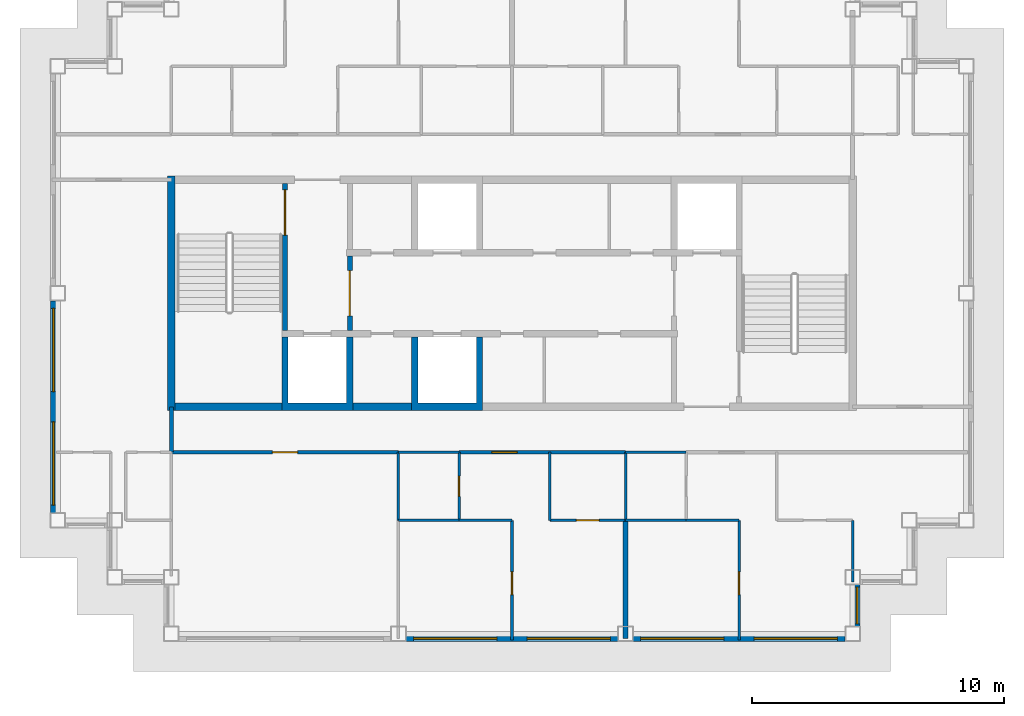
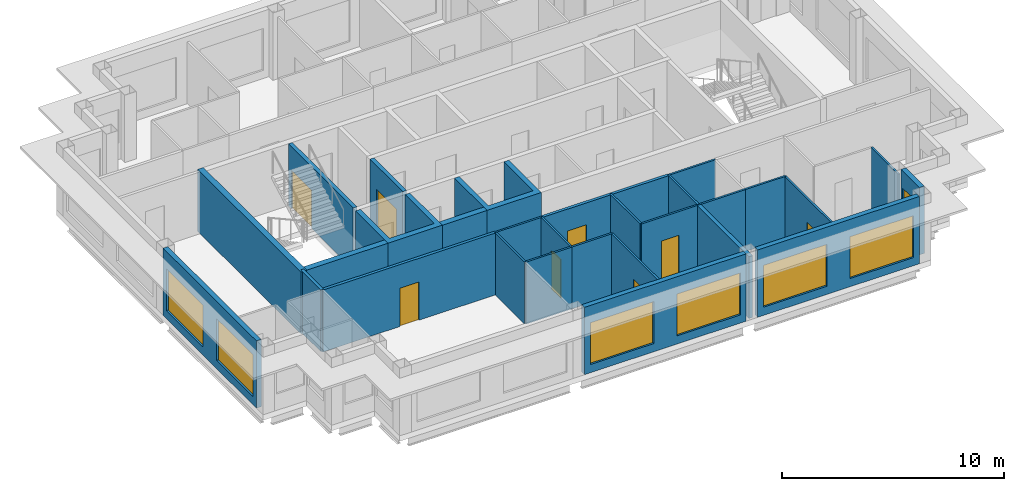
# One storey, part 2 of 11: 29 walls, 8 doors, 7 windows, 15 openings.
"""IFC4 building model written with IfcOpenShell, lengths in metres."""

from ifc_helpers import new_model, si_unit, direction, frame, frame_2d, origin, place, context, subcontext, project, spatial, polyline, rectangle, outline, extrude, material, layer, layer_set, type_object, element, fill, save


model = new_model("IFC4")

# Units and contexts
model_context = context("Model", 3, precision=1e-05, world=origin(), true_north=direction((0.0, 1.0)))
body_context = subcontext(model_context, "Body", "Model", "MODEL_VIEW")
ifc_project = project(units=[si_unit("LENGTHUNIT", "METRE"), si_unit("AREAUNIT", "SQUARE_METRE"), si_unit("VOLUMEUNIT", "CUBIC_METRE"), si_unit("PLANEANGLEUNIT", "RADIAN"), si_unit("MASSUNIT", "GRAM", prefix="KILO")], contexts=[model_context])

# Site, building, storey
site_placement = place(None, origin())
site = spatial("IfcSite", under=ifc_project, at=site_placement, CompositionType="ELEMENT")
building_placement = place(site_placement, origin())
building = spatial("IfcBuilding", under=site, at=building_placement, Name="Caravel Reach Hotel and Residences", CompositionType="ELEMENT")
storey_placement = place(building_placement, frame((0.0, 0.0, 287.10009765625)))
storey = spatial("IfcBuildingStorey", under=building, at=storey_placement, Name="L73", CompositionType="ELEMENT", Elevation=287.10009765625)

# Walls
ifc_material_1 = material(Name="Gypsum board on steel stud", Category="steel")
ifc_layer_1 = layer(ifc_material_1, 0.10009765625)
ifc_layer_set_1 = layer_set([ifc_layer_1], Name="Bathroom pod wall 100 mm")
wall_type_1 = type_object("IfcWallType", Name="Bathroom pod wall 100 mm", PredefinedType="PARTITIONING", material=ifc_layer_set_1)
for number, where, z_axis, x_axis, name in (
    (1, (27.0, 18.0, 0.0), (0.0, 0.0, 1.0), (1.0, 0.0, 0.0), "L73 wall w048"),
    (2, (36.0, 18.0, 0.0), (0.0, 0.0, 1.0), (1.0, 0.0, 0.0), "L73 wall w049"),
    (3, (27.0, 20.699951171875, 0.0), (0.0, 0.0, 1.0), (1.0, 0.0, 0.0), "L73 wall w050"),
    (4, (36.0, 20.699951171875, 0.0), (0.0, 0.0, 1.0), (1.0, 0.0, 0.0), "L73 wall w051"),
):
    element("IfcWall", number, at=place(storey_placement, frame(where, z_axis=z_axis, x_axis=x_axis)), inside=storey, type_object=wall_type_1, Name=name, PredefinedType="PARTITIONING", context=body_context, shape_type="SweptSolid", body=[
        extrude(rectangle(XDim=2.39990234375, YDim=0.10009765625, at=frame_2d((1.199951171875, 0.0))), origin(), (0.0, 0.0, 1.0), 3.39990234375),
    ])
wall_1_placement = place(storey_placement, frame((27.0, 18.0, 0.0), z_axis=(0.0, 0.0, 1.0), x_axis=(0.0, 1.0, 0.0)))
element("IfcWall", 5, at=wall_1_placement, inside=storey, type_object=wall_type_1, Name="L73 wall w065", PredefinedType="PARTITIONING", context=body_context, shape_type="SweptSolid", body=[
    extrude(rectangle(XDim=2.699951171875, YDim=0.10009765625, at=frame_2d((1.35009765625, 0.0))), origin(), (0.0, 0.0, 1.0), 3.39990234375),
])

# Wall, opening, door
wall_2_placement = place(storey_placement, frame((29.39990234375, 18.0, 0.0), z_axis=(0.0, 0.0, 1.0), x_axis=(0.0, 1.0, 0.0)))
wall_2 = element("IfcWall", 6, at=wall_2_placement, inside=storey, type_object=wall_type_1, Name="L73 wall w067", PredefinedType="PARTITIONING", context=body_context, shape_type="SweptSolid", body=[
    extrude(rectangle(XDim=2.699951171875, YDim=0.10009765625, at=frame_2d((1.35009765625, 0.0))), origin(), (0.0, 0.0, 1.0), 3.39990234375),
])
opening_1_placement = place(wall_2_placement, frame((0.949951171875, 0.0, 0.0)))
opening_1 = element("IfcOpeningElement", 7, at=opening_1_placement, cuts=wall_2, Name="Opening D73-031", PredefinedType="OPENING", context=body_context, shape_type="SweptSolid", body=[
    extrude(rectangle(XDim=0.800048828125, YDim=2.10009765625, at=frame_2d((0.39990234375, 1.050048828125))), frame((0.0, 0.06005859375, 0.0), z_axis=(0.0, -1.0, 0.0), x_axis=(1.0, 0.0, 0.0)), (0.0, 0.0, 1.0), 0.1201171875),
])
ifc_material_2 = material(Name="Timber and steel door leaf", Category="steel")
door_type_1 = type_object("IfcDoorType", Name="Bathroom door 800 x 2100", OperationType="SINGLE_SWING_LEFT", PredefinedType="DOOR", material=ifc_material_2)
door_1_placement = place(opening_1_placement, origin())
door_1 = element("IfcDoor", 8, at=door_1_placement, inside=storey, type_object=door_type_1, Name="door D73-031", OperationType="SINGLE_SWING_LEFT", OverallHeight=2.10009765625, OverallWidth=0.800048828125, PredefinedType="DOOR", context=body_context, shape_type="SweptSolid", body=[
    extrude(rectangle(XDim=0.800048828125, YDim=2.10009765625, at=frame_2d((0.39990234375, 1.050048828125))), frame((0.0, 0.02490234375, 0.0), z_axis=(0.0, -1.0, 0.0), x_axis=(1.0, 0.0, 0.0)), (0.0, 0.0, 1.0), 0.050048828125),
])
fill(opening_1, door_1)

# Walls
wall_3_placement = place(storey_placement, frame((36.0, 18.0, 0.0), z_axis=(0.0, 0.0, 1.0), x_axis=(0.0, 1.0, 0.0)))
element("IfcWall", 9, at=wall_3_placement, inside=storey, type_object=wall_type_1, Name="L73 wall w070", PredefinedType="PARTITIONING", context=body_context, shape_type="SweptSolid", body=[
    extrude(rectangle(XDim=2.699951171875, YDim=0.10009765625, at=frame_2d((1.35009765625, 0.0))), origin(), (0.0, 0.0, 1.0), 3.39990234375),
])
ifc_material_3 = material(Name="Concrete C60", Category="concrete")
ifc_layer_2 = layer(ifc_material_3, 0.300048828125)
ifc_layer_set_2 = layer_set([ifc_layer_2], Name="Core wall 300 mm EI 120")
wall_type_2 = type_object("IfcWallType", Name="Core wall 300 mm EI 120", PredefinedType="SHEAR", material=ifc_layer_set_2)
wall_4_placement = place(storey_placement, frame((18.14990234375, 22.5, 0.0), z_axis=(0.0, 0.0, 1.0), x_axis=(1.0, 0.0, 0.0)))
element("IfcWall", 10, at=wall_4_placement, inside=storey, type_object=wall_type_2, Name="L73 core wall S1", PredefinedType="SHEAR", context=body_context, shape_type="SweptSolid", body=[
    extrude(rectangle(XDim=4.22509765625, YDim=0.300048828125, at=frame_2d((2.112548828125, 0.0))), origin(), (0.0, 0.0, 1.0), 3.39990234375),
])
wall_5_placement = place(storey_placement, frame((25.196533203125, 22.5, 0.0), z_axis=(0.0, 0.0, 1.0), x_axis=(1.0, 0.0, 0.0)))
element("IfcWall", 11, at=wall_5_placement, inside=storey, type_object=wall_type_2, Name="L73 core wall S2", PredefinedType="SHEAR", context=body_context, shape_type="SweptSolid", body=[
    extrude(rectangle(XDim=2.3212890625, YDim=0.300048828125, at=frame_2d((1.16064453125, 0.0))), origin(), (0.0, 0.0, 1.0), 3.39990234375),
])
wall_6_placement = place(storey_placement, frame((18.0, 22.35009765625, 0.0), z_axis=(0.0, 0.0, 1.0), x_axis=(0.0, 1.0, 0.0)))
element("IfcWall", 12, at=wall_6_placement, inside=storey, type_object=wall_type_2, Name="L73 core wall W", PredefinedType="SHEAR", context=body_context, shape_type="SweptSolid", body=[
    extrude(rectangle(XDim=9.2998046875, YDim=0.300048828125, at=frame_2d((4.64990234375, 0.0))), origin(), (0.0, 0.0, 1.0), 3.39990234375),
])

# Wall, opening, door
ifc_material_4 = material(Name="Gypsum board on steel stud, fire-rated", Category="steel")
ifc_layer_3 = layer(ifc_material_4, 0.14990234375)
ifc_layer_set_3 = layer_set([ifc_layer_3], Name="Corridor wall 150 mm EI 60")
wall_type_3 = type_object("IfcWallType", Name="Corridor wall 150 mm EI 60", PredefinedType="PARTITIONING", material=ifc_layer_set_3)
wall_7_placement = place(storey_placement, frame((18.0, 20.699951171875, 0.0), z_axis=(0.0, 0.0, 1.0), x_axis=(1.0, 0.0, 0.0)))
wall_7 = element("IfcWall", 13, at=wall_7_placement, inside=storey, type_object=wall_type_3, Name="L73 wall w001", PredefinedType="PARTITIONING", context=body_context, shape_type="SweptSolid", body=[
    extrude(rectangle(XDim=9.0, YDim=0.14990234375, at=frame_2d((4.5, 0.0))), origin(), (0.0, 0.0, 1.0), 3.39990234375),
])
opening_2_placement = place(wall_7_placement, frame((4.0, 0.0, 0.0)))
opening_2 = element("IfcOpeningElement", 14, at=opening_2_placement, cuts=wall_7, Name="Opening D73-029", PredefinedType="OPENING", context=body_context, shape_type="SweptSolid", body=[
    extrude(rectangle(XDim=1.0, YDim=2.10009765625, at=frame_2d((0.5, 1.050048828125))), frame((0.0, 0.0849609375, 0.0), z_axis=(0.0, -1.0, 0.0), x_axis=(1.0, 0.0, 0.0)), (0.0, 0.0, 1.0), 0.169921875),
])
ifc_material_5 = material(Name="Steel fire door leaf", Category="steel")
door_type_2 = type_object("IfcDoorType", Name="Fire door 1000 x 2100 EI 60", OperationType="SINGLE_SWING_LEFT", PredefinedType="DOOR", material=ifc_material_5)
door_2_placement = place(opening_2_placement, origin())
door_2 = element("IfcDoor", 15, at=door_2_placement, inside=storey, type_object=door_type_2, Name="door D73-029", OperationType="SINGLE_SWING_LEFT", OverallHeight=2.10009765625, OverallWidth=1.0, PredefinedType="DOOR", context=body_context, shape_type="SweptSolid", body=[
    extrude(rectangle(XDim=1.0, YDim=2.10009765625, at=frame_2d((0.5, 1.050048828125))), frame((0.0, 0.02490234375, 0.0), z_axis=(0.0, -1.0, 0.0), x_axis=(1.0, 0.0, 0.0)), (0.0, 0.0, 1.0), 0.050048828125),
])
fill(opening_2, door_2)

wall_8_placement = place(storey_placement, frame((29.39990234375, 20.699951171875, 0.0), z_axis=(0.0, 0.0, 1.0), x_axis=(1.0, 0.0, 0.0)))
wall_8 = element("IfcWall", 16, at=wall_8_placement, inside=storey, type_object=wall_type_3, Name="L73 wall w002", PredefinedType="PARTITIONING", context=body_context, shape_type="SweptSolid", body=[
    extrude(rectangle(XDim=6.60009765625, YDim=0.14990234375, at=frame_2d((3.300048828125, 0.0))), origin(), (0.0, 0.0, 1.0), 3.39990234375),
])
opening_3_placement = place(wall_8_placement, frame((1.300048828125, 0.0, 0.0)))
opening_3 = element("IfcOpeningElement", 17, at=opening_3_placement, cuts=wall_8, Name="Opening D73-030", PredefinedType="OPENING", context=body_context, shape_type="SweptSolid", body=[
    extrude(rectangle(XDim=1.0, YDim=2.199951171875, at=frame_2d((0.5, 1.10009765625))), frame((0.0, 0.0849609375, 0.0), z_axis=(0.0, -1.0, 0.0), x_axis=(1.0, 0.0, 0.0)), (0.0, 0.0, 1.0), 0.169921875),
])
ifc_material_6 = material(Name="Steel fire door leaf", Category="steel")
door_type_3 = type_object("IfcDoorType", Name="Flat entrance door 1000 x 2200 EI 60", OperationType="SINGLE_SWING_LEFT", PredefinedType="DOOR", material=ifc_material_6)
door_3_placement = place(opening_3_placement, origin())
door_3 = element("IfcDoor", 18, at=door_3_placement, inside=storey, type_object=door_type_3, Name="door D73-030", OperationType="SINGLE_SWING_RIGHT", OverallHeight=2.199951171875, OverallWidth=1.0, PredefinedType="DOOR", context=body_context, shape_type="SweptSolid", body=[
    extrude(rectangle(XDim=1.0, YDim=2.199951171875, at=frame_2d((0.5, 1.10009765625))), frame((0.0, 0.02490234375, 0.0), z_axis=(0.0, -1.0, 0.0), x_axis=(1.0, 0.0, 0.0)), (0.0, 0.0, 1.0), 0.050048828125),
])
fill(opening_3, door_3)

# Wall
wall_9_placement = place(storey_placement, frame((18.0, 20.699951171875, 0.0), z_axis=(0.0, 0.0, 1.0), x_axis=(0.0, 1.0, 0.0)))
element("IfcWall", 19, at=wall_9_placement, inside=storey, type_object=wall_type_3, Name="L73 wall w014", PredefinedType="PARTITIONING", context=body_context, shape_type="SweptSolid", body=[
    extrude(rectangle(XDim=1.800048828125, YDim=0.14990234375, at=frame_2d((0.89990234375, 0.0))), origin(), (0.0, 0.0, 1.0), 3.39990234375),
])

# Wall, opening, window
ifc_material_7 = material(Name="Insulated rainscreen wall, aluminium cladding", Category="aluminium")
ifc_layer_4 = layer(ifc_material_7, 0.25)
ifc_layer_set_4 = layer_set([ifc_layer_4], Name="EW1 Tower rainscreen wall")
wall_type_4 = type_object("IfcWallType", Name="EW1 Tower rainscreen wall", PredefinedType="SOLIDWALL", material=ifc_layer_set_4)
wall_10_placement = place(storey_placement, frame((45.175048828125, 13.800048828125, 0.0), z_axis=(0.0, 0.0, 1.0), x_axis=(0.0, 1.0, 0.0)))
wall_10 = element("IfcWall", 20, at=wall_10_placement, inside=storey, type_object=wall_type_4, Name="External wall L73 E1.1", PredefinedType="SOLIDWALL", context=body_context, shape_type="SweptSolid", body=[
    extrude(rectangle(XDim=1.64990234375, YDim=0.25, at=frame_2d((0.824951171875, 0.0))), origin(), (0.0, 0.0, 1.0), 3.699951171875),
])
opening_4_placement = place(wall_10_placement, frame((0.10009765625, 0.0, 0.89990234375)))
opening_4 = element("IfcOpeningElement", 21, at=opening_4_placement, cuts=wall_10, Name="Opening WN25", PredefinedType="OPENING", context=body_context, shape_type="SweptSolid", body=[
    extrude(rectangle(XDim=1.449951171875, YDim=1.85009765625, at=frame_2d((0.72509765625, 0.925048828125))), frame((0.0, 0.135009765625, 0.0), z_axis=(0.0, -1.0, 0.0), x_axis=(1.0, 0.0, 0.0)), (0.0, 0.0, 1.0), 0.27001953125),
])
ifc_material_8 = material(Name="Dark low-e glazing in black aluminium frame", Category="aluminium")
window_type_1 = type_object("IfcWindowType", Name="Residence bedroom window 1450 x 1850", PartitioningType="SINGLE_PANEL", PredefinedType="WINDOW", material=ifc_material_8)
window_1_placement = place(opening_4_placement, origin())
window_1 = element("IfcWindow", 22, at=window_1_placement, inside=storey, type_object=window_type_1, Name="Window L73 E1.1.1", OverallHeight=1.85009765625, OverallWidth=1.449951171875, PartitioningType="SINGLE_PANEL", PredefinedType="WINDOW", context=body_context, shape_type="SweptSolid", body=[
    extrude(rectangle(XDim=1.449951171875, YDim=1.85009765625, at=frame_2d((0.72509765625, 0.925048828125))), frame((0.0, 0.030029296875, 0.0), z_axis=(0.0, -1.0, 0.0), x_axis=(1.0, 0.0, 0.0)), (0.0, 0.0, 1.0), 0.06005859375),
])
fill(opening_4, window_1)

# Wall, openings, windows
wall_11_placement = place(storey_placement, frame((13.324951171875, 26.699951171875, 0.0), z_axis=(0.0, 0.0, 1.0), x_axis=(0.0, -1.0, 0.0)))
wall_11 = element("IfcWall", 23, at=wall_11_placement, inside=storey, type_object=wall_type_4, Name="External wall L73 W15.2", PredefinedType="SOLIDWALL", context=body_context, shape_type="SweptSolid", body=[
    extrude(rectangle(XDim=8.39990234375, YDim=0.25, at=frame_2d((4.199951171875, 0.0))), origin(), (0.0, 0.0, 1.0), 3.699951171875),
])
opening_5_placement = place(wall_11_placement, frame((0.300048828125, 0.0, 0.449951171875)))
opening_5 = element("IfcOpeningElement", 24, at=opening_5_placement, cuts=wall_11, Name="Opening WN15", PredefinedType="OPENING", context=body_context, shape_type="SweptSolid", body=[
    extrude(rectangle(XDim=3.300048828125, YDim=2.300048828125, at=frame_2d((1.64990234375, 1.14990234375))), frame((0.0, 0.135009765625, 0.0), z_axis=(0.0, -1.0, 0.0), x_axis=(1.0, 0.0, 0.0)), (0.0, 0.0, 1.0), 0.27001953125),
])
opening_6_placement = place(wall_11_placement, frame((4.800048828125, 0.0, 0.449951171875)))
opening_6 = element("IfcOpeningElement", 25, at=opening_6_placement, cuts=wall_11, Name="Opening WN15", PredefinedType="OPENING", context=body_context, shape_type="SweptSolid", body=[
    extrude(rectangle(XDim=3.300048828125, YDim=2.300048828125, at=frame_2d((1.64990234375, 1.14990234375))), frame((0.0, 0.135009765625, 0.0), z_axis=(0.0, -1.0, 0.0), x_axis=(1.0, 0.0, 0.0)), (0.0, 0.0, 1.0), 0.27001953125),
])
ifc_material_9 = material(Name="Dark low-e glazing in black aluminium frame", Category="aluminium")
window_type_2 = type_object("IfcWindowType", Name="Residence living window 3300 x 2300", PartitioningType="SINGLE_PANEL", PredefinedType="WINDOW", material=ifc_material_9)
window_2_placement = place(opening_5_placement, origin())
window_2 = element("IfcWindow", 26, at=window_2_placement, inside=storey, type_object=window_type_2, Name="Window L73 W15.2.1", OverallHeight=2.300048828125, OverallWidth=3.300048828125, PartitioningType="SINGLE_PANEL", PredefinedType="WINDOW", context=body_context, shape_type="SweptSolid", body=[
    extrude(rectangle(XDim=3.300048828125, YDim=2.300048828125, at=frame_2d((1.64990234375, 1.14990234375))), frame((0.0, 0.030029296875, 0.0), z_axis=(0.0, -1.0, 0.0), x_axis=(1.0, 0.0, 0.0)), (0.0, 0.0, 1.0), 0.06005859375),
])
fill(opening_5, window_2)
window_3_placement = place(opening_6_placement, origin())
window_3 = element("IfcWindow", 27, at=window_3_placement, inside=storey, type_object=window_type_2, Name="Window L73 W15.2.2", OverallHeight=2.300048828125, OverallWidth=3.300048828125, PartitioningType="SINGLE_PANEL", PredefinedType="WINDOW", context=body_context, shape_type="SweptSolid", body=[
    extrude(rectangle(XDim=3.300048828125, YDim=2.300048828125, at=frame_2d((1.64990234375, 1.14990234375))), frame((0.0, 0.030029296875, 0.0), z_axis=(0.0, -1.0, 0.0), x_axis=(1.0, 0.0, 0.0)), (0.0, 0.0, 1.0), 0.06005859375),
])
fill(opening_6, window_3)

wall_12_placement = place(storey_placement, frame((27.300048828125, 13.324951171875, 0.0), z_axis=(0.0, 0.0, 1.0), x_axis=(1.0, 0.0, 0.0)))
wall_12 = element("IfcWall", 28, at=wall_12_placement, inside=storey, type_object=wall_type_4, Name="External wall L73 S20.2", PredefinedType="SOLIDWALL", context=body_context, shape_type="SweptSolid", body=[
    extrude(rectangle(XDim=8.39990234375, YDim=0.25, at=frame_2d((4.199951171875, 0.0))), origin(), (0.0, 0.0, 1.0), 3.699951171875),
])
opening_7_placement = place(wall_12_placement, frame((0.300048828125, 0.0, 0.449951171875)))
opening_7 = element("IfcOpeningElement", 29, at=opening_7_placement, cuts=wall_12, Name="Opening WN15", PredefinedType="OPENING", context=body_context, shape_type="SweptSolid", body=[
    extrude(rectangle(XDim=3.300048828125, YDim=2.300048828125, at=frame_2d((1.64990234375, 1.14990234375))), frame((0.0, 0.135009765625, 0.0), z_axis=(0.0, -1.0, 0.0), x_axis=(1.0, 0.0, 0.0)), (0.0, 0.0, 1.0), 0.27001953125),
])
opening_8_placement = place(wall_12_placement, frame((4.800048828125, 0.0, 0.449951171875)))
opening_8 = element("IfcOpeningElement", 30, at=opening_8_placement, cuts=wall_12, Name="Opening WN15", PredefinedType="OPENING", context=body_context, shape_type="SweptSolid", body=[
    extrude(rectangle(XDim=3.300048828125, YDim=2.300048828125, at=frame_2d((1.64990234375, 1.14990234375))), frame((0.0, 0.135009765625, 0.0), z_axis=(0.0, -1.0, 0.0), x_axis=(1.0, 0.0, 0.0)), (0.0, 0.0, 1.0), 0.27001953125),
])
window_4_placement = place(opening_7_placement, origin())
window_4 = element("IfcWindow", 31, at=window_4_placement, inside=storey, type_object=window_type_2, Name="Window L73 S20.2.1", OverallHeight=2.300048828125, OverallWidth=3.300048828125, PartitioningType="SINGLE_PANEL", PredefinedType="WINDOW", context=body_context, shape_type="SweptSolid", body=[
    extrude(rectangle(XDim=3.300048828125, YDim=2.300048828125, at=frame_2d((1.64990234375, 1.14990234375))), frame((0.0, 0.030029296875, 0.0), z_axis=(0.0, -1.0, 0.0), x_axis=(1.0, 0.0, 0.0)), (0.0, 0.0, 1.0), 0.06005859375),
])
fill(opening_7, window_4)
window_5_placement = place(opening_8_placement, origin())
window_5 = element("IfcWindow", 32, at=window_5_placement, inside=storey, type_object=window_type_2, Name="Window L73 S20.2.2", OverallHeight=2.300048828125, OverallWidth=3.300048828125, PartitioningType="SINGLE_PANEL", PredefinedType="WINDOW", context=body_context, shape_type="SweptSolid", body=[
    extrude(rectangle(XDim=3.300048828125, YDim=2.300048828125, at=frame_2d((1.64990234375, 1.14990234375))), frame((0.0, 0.030029296875, 0.0), z_axis=(0.0, -1.0, 0.0), x_axis=(1.0, 0.0, 0.0)), (0.0, 0.0, 1.0), 0.06005859375),
])
fill(opening_8, window_5)

wall_13_placement = place(storey_placement, frame((36.300048828125, 13.324951171875, 0.0), z_axis=(0.0, 0.0, 1.0), x_axis=(1.0, 0.0, 0.0)))
wall_13 = element("IfcWall", 33, at=wall_13_placement, inside=storey, type_object=wall_type_4, Name="External wall L73 S20.3", PredefinedType="SOLIDWALL", context=body_context, shape_type="SweptSolid", body=[
    extrude(rectangle(XDim=8.39990234375, YDim=0.25, at=frame_2d((4.199951171875, 0.0))), origin(), (0.0, 0.0, 1.0), 3.699951171875),
])
opening_9_placement = place(wall_13_placement, frame((0.300048828125, 0.0, 0.449951171875)))
opening_9 = element("IfcOpeningElement", 34, at=opening_9_placement, cuts=wall_13, Name="Opening WN15", PredefinedType="OPENING", context=body_context, shape_type="SweptSolid", body=[
    extrude(rectangle(XDim=3.300048828125, YDim=2.300048828125, at=frame_2d((1.64990234375, 1.14990234375))), frame((0.0, 0.135009765625, 0.0), z_axis=(0.0, -1.0, 0.0), x_axis=(1.0, 0.0, 0.0)), (0.0, 0.0, 1.0), 0.27001953125),
])
opening_10_placement = place(wall_13_placement, frame((4.800048828125, 0.0, 0.449951171875)))
opening_10 = element("IfcOpeningElement", 35, at=opening_10_placement, cuts=wall_13, Name="Opening WN15", PredefinedType="OPENING", context=body_context, shape_type="SweptSolid", body=[
    extrude(rectangle(XDim=3.300048828125, YDim=2.300048828125, at=frame_2d((1.64990234375, 1.14990234375))), frame((0.0, 0.135009765625, 0.0), z_axis=(0.0, -1.0, 0.0), x_axis=(1.0, 0.0, 0.0)), (0.0, 0.0, 1.0), 0.27001953125),
])
window_6_placement = place(opening_9_placement, origin())
window_6 = element("IfcWindow", 36, at=window_6_placement, inside=storey, type_object=window_type_2, Name="Window L73 S20.3.1", OverallHeight=2.300048828125, OverallWidth=3.300048828125, PartitioningType="SINGLE_PANEL", PredefinedType="WINDOW", context=body_context, shape_type="SweptSolid", body=[
    extrude(rectangle(XDim=3.300048828125, YDim=2.300048828125, at=frame_2d((1.64990234375, 1.14990234375))), frame((0.0, 0.030029296875, 0.0), z_axis=(0.0, -1.0, 0.0), x_axis=(1.0, 0.0, 0.0)), (0.0, 0.0, 1.0), 0.06005859375),
])
fill(opening_9, window_6)
window_7_placement = place(opening_10_placement, origin())
window_7 = element("IfcWindow", 37, at=window_7_placement, inside=storey, type_object=window_type_2, Name="Window L73 S20.3.2", OverallHeight=2.300048828125, OverallWidth=3.300048828125, PartitioningType="SINGLE_PANEL", PredefinedType="WINDOW", context=body_context, shape_type="SweptSolid", body=[
    extrude(rectangle(XDim=3.300048828125, YDim=2.300048828125, at=frame_2d((1.64990234375, 1.14990234375))), frame((0.0, 0.030029296875, 0.0), z_axis=(0.0, -1.0, 0.0), x_axis=(1.0, 0.0, 0.0)), (0.0, 0.0, 1.0), 0.06005859375),
])
fill(opening_10, window_7)

# Wall, opening, door
ifc_material_10 = material(Name="Autoclaved aerated block wall")
ifc_layer_5 = layer(ifc_material_10, 0.199951171875)
ifc_layer_set_5 = layer_set([ifc_layer_5], Name="Fire lobby wall 200 mm EI 120")
wall_type_5 = type_object("IfcWallType", Name="Fire lobby wall 200 mm EI 120", PredefinedType="PARTITIONING", material=ifc_layer_set_5)
wall_14_placement = place(storey_placement, frame((25.071533203125, 25.52490234375, 0.0), z_axis=(0.0, 0.0, 1.0), x_axis=(0.0, 1.0, 0.0)))
wall_14 = element("IfcWall", 38, at=wall_14_placement, inside=storey, type_object=wall_type_5, Name="L73 lobby W wall", PredefinedType="PARTITIONING", context=body_context, shape_type="SweptSolid", body=[
    extrude(rectangle(XDim=2.9501953125, YDim=0.199951171875, at=frame_2d((1.47509765625, 0.0))), origin(), (0.0, 0.0, 1.0), 3.39990234375),
])
opening_11_placement = place(wall_14_placement, frame((0.574951171875, 0.0, 0.0)))
opening_11 = element("IfcOpeningElement", 39, at=opening_11_placement, cuts=wall_14, Name="Opening D73-013", PredefinedType="OPENING", context=body_context, shape_type="SweptSolid", body=[
    extrude(rectangle(XDim=1.800048828125, YDim=2.10009765625, at=frame_2d((0.89990234375, 1.050048828125))), frame((0.0, 0.10986328125, 0.0), z_axis=(0.0, -1.0, 0.0), x_axis=(1.0, 0.0, 0.0)), (0.0, 0.0, 1.0), 0.219970703125),
])
ifc_material_11 = material(Name="Steel fire door leaf", Category="steel")
door_type_4 = type_object("IfcDoorType", Name="Fire lobby door pair 1800 x 2100 EI 90", OperationType="DOUBLE_DOOR_SINGLE_SWING", PredefinedType="DOOR", material=ifc_material_11)
door_4_placement = place(opening_11_placement, origin())
door_4 = element("IfcDoor", 40, at=door_4_placement, inside=storey, type_object=door_type_4, Name="lobby W door pair", OperationType="DOUBLE_DOOR_SINGLE_SWING", OverallHeight=2.10009765625, OverallWidth=1.800048828125, PredefinedType="DOOR", context=body_context, shape_type="SweptSolid", body=[
    extrude(rectangle(XDim=1.800048828125, YDim=2.10009765625, at=frame_2d((0.89990234375, 1.050048828125))), frame((0.0, 0.02490234375, 0.0), z_axis=(0.0, -1.0, 0.0), x_axis=(1.0, 0.0, 0.0)), (0.0, 0.0, 1.0), 0.050048828125),
])
fill(opening_11, door_4)

# Wall
ifc_material_12 = material(Name="Gypsum board on steel stud", Category="steel")
ifc_layer_6 = layer(ifc_material_12, 0.10009765625)
ifc_layer_set_6 = layer_set([ifc_layer_6], Name="Partition 100 mm")
wall_type_6 = type_object("IfcWallType", Name="Partition 100 mm", PredefinedType="PARTITIONING", material=ifc_layer_set_6)
wall_15_placement = place(storey_placement, frame((29.39990234375, 18.0, 0.0), z_axis=(0.0, 0.0, 1.0), x_axis=(1.0, 0.0, 0.0)))
element("IfcWall", 41, at=wall_15_placement, inside=storey, type_object=wall_type_6, Name="L73 wall w016", PredefinedType="PARTITIONING", context=body_context, shape_type="SweptSolid", body=[
    extrude(rectangle(XDim=2.10009765625, YDim=0.10009765625, at=frame_2d((1.050048828125, 0.0))), origin(), (0.0, 0.0, 1.0), 3.39990234375),
])

# Wall, opening, door
wall_16_placement = place(storey_placement, frame((33.0, 18.0, 0.0), z_axis=(0.0, 0.0, 1.0), x_axis=(1.0, 0.0, 0.0)))
wall_16 = element("IfcWall", 42, at=wall_16_placement, inside=storey, type_object=wall_type_6, Name="L73 wall w017", PredefinedType="PARTITIONING", context=body_context, shape_type="SweptSolid", body=[
    extrude(rectangle(XDim=3.0, YDim=0.10009765625, at=frame_2d((1.5, 0.0))), origin(), (0.0, 0.0, 1.0), 3.39990234375),
])
opening_12_placement = place(wall_16_placement, frame((1.050048828125, 0.0, 0.0)))
opening_12 = element("IfcOpeningElement", 43, at=opening_12_placement, cuts=wall_16, Name="Opening D73-032", PredefinedType="OPENING", context=body_context, shape_type="SweptSolid", body=[
    extrude(rectangle(XDim=0.89990234375, YDim=2.10009765625, at=frame_2d((0.449951171875, 1.050048828125))), frame((0.0, 0.06005859375, 0.0), z_axis=(0.0, -1.0, 0.0), x_axis=(1.0, 0.0, 0.0)), (0.0, 0.0, 1.0), 0.1201171875),
])
ifc_material_13 = material(Name="Timber and steel door leaf", Category="steel")
door_type_5 = type_object("IfcDoorType", Name="Door 900 x 2100 timber", OperationType="SINGLE_SWING_LEFT", PredefinedType="DOOR", material=ifc_material_13)
door_5_placement = place(opening_12_placement, origin())
door_5 = element("IfcDoor", 44, at=door_5_placement, inside=storey, type_object=door_type_5, Name="door D73-032", OperationType="SINGLE_SWING_LEFT", OverallHeight=2.10009765625, OverallWidth=0.89990234375, PredefinedType="DOOR", context=body_context, shape_type="SweptSolid", body=[
    extrude(rectangle(XDim=0.89990234375, YDim=2.10009765625, at=frame_2d((0.449951171875, 1.050048828125))), frame((0.0, 0.02490234375, 0.0), z_axis=(0.0, -1.0, 0.0), x_axis=(1.0, 0.0, 0.0)), (0.0, 0.0, 1.0), 0.050048828125),
])
fill(opening_12, door_5)

# Wall
wall_17_placement = place(storey_placement, frame((38.39990234375, 18.0, 0.0), z_axis=(0.0, 0.0, 1.0), x_axis=(1.0, 0.0, 0.0)))
element("IfcWall", 45, at=wall_17_placement, inside=storey, type_object=wall_type_6, Name="L73 wall w018", PredefinedType="PARTITIONING", context=body_context, shape_type="SweptSolid", body=[
    extrude(rectangle(XDim=2.10009765625, YDim=0.10009765625, at=frame_2d((1.050048828125, 0.0))), origin(), (0.0, 0.0, 1.0), 3.39990234375),
])

# Wall, opening, door
wall_18_placement = place(storey_placement, frame((31.5, 13.260009765625, 0.0), z_axis=(0.0, 0.0, 1.0), x_axis=(0.0, 1.0, 0.0)))
wall_18 = element("IfcWall", 46, at=wall_18_placement, inside=storey, type_object=wall_type_6, Name="L73 wall w036", PredefinedType="PARTITIONING", context=body_context, shape_type="SweptSolid", body=[
    extrude(rectangle(XDim=4.739990234375, YDim=0.10009765625, at=frame_2d((2.3701171875, 0.0))), origin(), (0.0, 0.0, 1.0), 3.39990234375),
])
opening_13_placement = place(wall_18_placement, frame((1.800048828125, 0.0, 0.0)))
opening_13 = element("IfcOpeningElement", 47, at=opening_13_placement, cuts=wall_18, Name="Opening D73-033", PredefinedType="OPENING", context=body_context, shape_type="SweptSolid", body=[
    extrude(rectangle(XDim=0.89990234375, YDim=2.10009765625, at=frame_2d((0.449951171875, 1.050048828125))), frame((0.0, 0.06005859375, 0.0), z_axis=(0.0, -1.0, 0.0), x_axis=(1.0, 0.0, 0.0)), (0.0, 0.0, 1.0), 0.1201171875),
])
door_6_placement = place(opening_13_placement, origin())
door_6 = element("IfcDoor", 48, at=door_6_placement, inside=storey, type_object=door_type_5, Name="door D73-033", OperationType="SINGLE_SWING_LEFT", OverallHeight=2.10009765625, OverallWidth=0.89990234375, PredefinedType="DOOR", context=body_context, shape_type="SweptSolid", body=[
    extrude(rectangle(XDim=0.89990234375, YDim=2.10009765625, at=frame_2d((0.449951171875, 1.050048828125))), frame((0.0, 0.02490234375, 0.0), z_axis=(0.0, -1.0, 0.0), x_axis=(1.0, 0.0, 0.0)), (0.0, 0.0, 1.0), 0.050048828125),
])
fill(opening_13, door_6)

# Wall
wall_19_placement = place(storey_placement, frame((33.0, 18.0, 0.0), z_axis=(0.0, 0.0, 1.0), x_axis=(0.0, 1.0, 0.0)))
element("IfcWall", 49, at=wall_19_placement, inside=storey, type_object=wall_type_6, Name="L73 wall w037", PredefinedType="PARTITIONING", context=body_context, shape_type="SweptSolid", body=[
    extrude(rectangle(XDim=2.699951171875, YDim=0.10009765625, at=frame_2d((1.35009765625, 0.0))), origin(), (0.0, 0.0, 1.0), 3.39990234375),
])

# Wall, opening, door
wall_20_placement = place(storey_placement, frame((40.5, 13.260009765625, 0.0), z_axis=(0.0, 0.0, 1.0), x_axis=(0.0, 1.0, 0.0)))
wall_20 = element("IfcWall", 50, at=wall_20_placement, inside=storey, type_object=wall_type_6, Name="L73 wall w041", PredefinedType="PARTITIONING", context=body_context, shape_type="SweptSolid", body=[
    extrude(rectangle(XDim=4.739990234375, YDim=0.10009765625, at=frame_2d((2.3701171875, 0.0))), origin(), (0.0, 0.0, 1.0), 3.39990234375),
])
opening_14_placement = place(wall_20_placement, frame((1.800048828125, 0.0, 0.0)))
opening_14 = element("IfcOpeningElement", 51, at=opening_14_placement, cuts=wall_20, Name="Opening D73-037", PredefinedType="OPENING", context=body_context, shape_type="SweptSolid", body=[
    extrude(rectangle(XDim=0.89990234375, YDim=2.10009765625, at=frame_2d((0.449951171875, 1.050048828125))), frame((0.0, 0.06005859375, 0.0), z_axis=(0.0, -1.0, 0.0), x_axis=(1.0, 0.0, 0.0)), (0.0, 0.0, 1.0), 0.1201171875),
])
door_7_placement = place(opening_14_placement, origin())
door_7 = element("IfcDoor", 52, at=door_7_placement, inside=storey, type_object=door_type_5, Name="door D73-037", OperationType="SINGLE_SWING_LEFT", OverallHeight=2.10009765625, OverallWidth=0.89990234375, PredefinedType="DOOR", context=body_context, shape_type="SweptSolid", body=[
    extrude(rectangle(XDim=0.89990234375, YDim=2.10009765625, at=frame_2d((0.449951171875, 1.050048828125))), frame((0.0, 0.02490234375, 0.0), z_axis=(0.0, -1.0, 0.0), x_axis=(1.0, 0.0, 0.0)), (0.0, 0.0, 1.0), 0.050048828125),
])
fill(opening_14, door_7)

# Walls
wall_21_placement = place(storey_placement, frame((45.0, 15.56005859375, 0.0), z_axis=(0.0, 0.0, 1.0), x_axis=(0.0, 1.0, 0.0)))
element("IfcWall", 53, at=wall_21_placement, inside=storey, type_object=wall_type_6, Name="L73 wall w043", PredefinedType="PARTITIONING", context=body_context, shape_type="SweptSolid", body=[
    extrude(rectangle(XDim=2.43994140625, YDim=0.10009765625, at=frame_2d((1.219970703125, 0.0))), origin(), (0.0, 0.0, 1.0), 3.39990234375),
])
ifc_material_14 = material(Name="Autoclaved aerated block wall")
ifc_layer_7 = layer(ifc_material_14, 0.199951171875)
ifc_layer_set_7 = layer_set([ifc_layer_7], Name="Party wall 200 mm EI 60")
wall_type_7 = type_object("IfcWallType", Name="Party wall 200 mm EI 60", PredefinedType="PARTITIONING", material=ifc_layer_set_7)
wall_22_placement = place(storey_placement, frame((36.0, 13.31005859375, 0.0), z_axis=(0.0, 0.0, 1.0), x_axis=(0.0, 1.0, 0.0)))
element("IfcWall", 54, at=wall_22_placement, inside=storey, type_object=wall_type_7, Name="L73 wall w046", PredefinedType="PARTITIONING", context=body_context, shape_type="SweptSolid", body=[
    extrude(rectangle(XDim=4.68994140625, YDim=0.199951171875, at=frame_2d((2.344970703125, 0.0))), origin(), (0.0, 0.0, 1.0), 3.39990234375),
])
ifc_material_15 = material(Name="Concrete C60", Category="concrete")
ifc_layer_8 = layer(ifc_material_15, 0.25)
ifc_layer_set_8 = layer_set([ifc_layer_8], Name="Shaft wall 250 mm EI 120")
wall_type_8 = type_object("IfcWallType", Name="Shaft wall 250 mm EI 120", PredefinedType="SHEAR", material=ifc_layer_set_8)
wall_23_placement = place(storey_placement, origin())
element("IfcWall", 55, at=wall_23_placement, inside=storey, type_object=wall_type_8, Name="L73 lift shaft wall S1", PredefinedType="SHEAR", context=body_context, shape_type="SweptSolid", body=[
    extrude(outline(polyline([(22.375, 22.35009765625), (25.196533203125, 22.35009765625), (25.196533203125, 25.27490234375), (24.946533203125, 25.27490234375), (24.946533203125, 22.64990234375), (22.625, 22.64990234375), (22.625, 25.27490234375), (22.375, 25.27490234375), (22.375, 22.35009765625)])), origin(), (0.0, 0.0, 1.0), 3.39990234375),
])
wall_24_placement = place(storey_placement, origin())
element("IfcWall", 56, at=wall_24_placement, inside=storey, type_object=wall_type_8, Name="L73 lift shaft wall S2", PredefinedType="SHEAR", context=body_context, shape_type="SweptSolid", body=[
    extrude(outline(polyline([(27.517822265625, 22.35009765625), (30.33935546875, 22.35009765625), (30.33935546875, 25.27490234375), (30.08935546875, 25.27490234375), (30.08935546875, 22.64990234375), (27.767822265625, 22.64990234375), (27.767822265625, 25.27490234375), (27.517822265625, 25.27490234375), (27.517822265625, 22.35009765625)])), origin(), (0.0, 0.0, 1.0), 3.39990234375),
])

# Wall, opening, door
ifc_material_16 = material(Name="Concrete C60", Category="concrete")
ifc_layer_9 = layer(ifc_material_16, 0.199951171875)
ifc_layer_set_9 = layer_set([ifc_layer_9], Name="Stair enclosure wall 200 mm EI 120")
wall_type_9 = type_object("IfcWallType", Name="Stair enclosure wall 200 mm EI 120", PredefinedType="SHEAR", material=ifc_layer_set_9)
wall_25_placement = place(storey_placement, frame((22.5, 31.35009765625, 0.0), z_axis=(0.0, 0.0, 1.0), x_axis=(0.0, -1.0, 0.0)))
wall_25 = element("IfcWall", 57, at=wall_25_placement, inside=storey, type_object=wall_type_9, Name="L73 stair A wall", PredefinedType="SHEAR", context=body_context, shape_type="SweptSolid", body=[
    extrude(rectangle(XDim=5.8251953125, YDim=0.199951171875, at=frame_2d((2.91259765625, 0.0))), origin(), (0.0, 0.0, 1.0), 3.39990234375),
])
opening_15_placement = place(wall_25_placement, frame((0.25, 0.0, 0.0)))
opening_15 = element("IfcOpeningElement", 58, at=opening_15_placement, cuts=wall_25, Name="Opening D73-011", PredefinedType="OPENING", context=body_context, shape_type="SweptSolid", body=[
    extrude(rectangle(XDim=1.800048828125, YDim=2.10009765625, at=frame_2d((0.89990234375, 1.050048828125))), frame((0.0, 0.10986328125, 0.0), z_axis=(0.0, -1.0, 0.0), x_axis=(1.0, 0.0, 0.0)), (0.0, 0.0, 1.0), 0.219970703125),
])
ifc_material_17 = material(Name="Steel fire door leaf", Category="steel")
door_type_6 = type_object("IfcDoorType", Name="Stair door pair 1800 x 2100 EI 90", OperationType="DOUBLE_DOOR_SINGLE_SWING", PredefinedType="DOOR", material=ifc_material_17)
door_8_placement = place(opening_15_placement, origin())
door_8 = element("IfcDoor", 59, at=door_8_placement, inside=storey, type_object=door_type_6, Name="stair A door pair", OperationType="DOUBLE_DOOR_SINGLE_SWING", OverallHeight=2.10009765625, OverallWidth=1.800048828125, PredefinedType="DOOR", context=body_context, shape_type="SweptSolid", body=[
    extrude(rectangle(XDim=1.800048828125, YDim=2.10009765625, at=frame_2d((0.89990234375, 1.050048828125))), frame((0.0, 0.02490234375, 0.0), z_axis=(0.0, -1.0, 0.0), x_axis=(1.0, 0.0, 0.0)), (0.0, 0.0, 1.0), 0.050048828125),
])
fill(opening_15, door_8)

save(model, "model.ifc")
